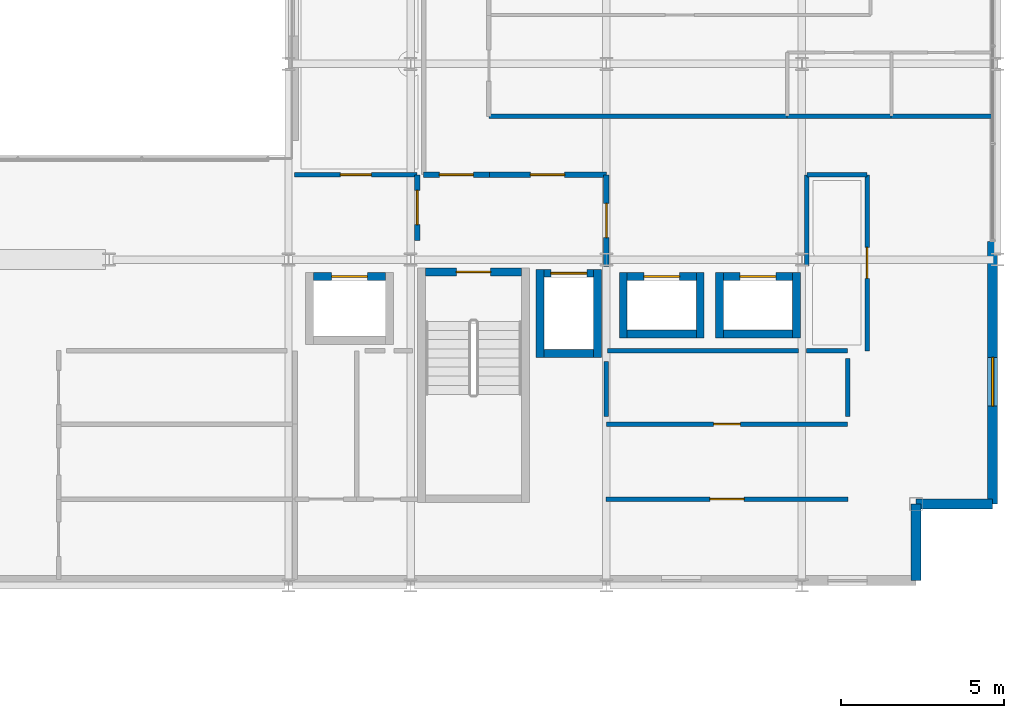
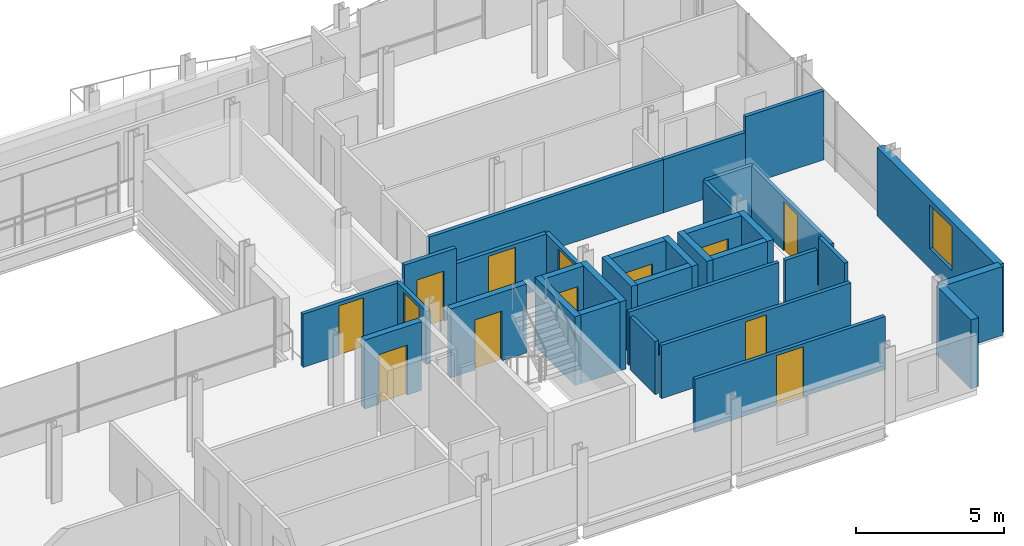
# One storey, part 31 of 36: 34 walls, 13 doors, 1 window, 14 openings.
"""IFC4 building model written with IfcOpenShell, lengths in metres."""

from ifc_helpers import new_model, si_unit, direction, frame, frame_2d, origin, place, context, subcontext, project, spatial, rectangle, extrude, material, layer, layer_set, type_object, element, fill, save


model = new_model("IFC4")

# Units and contexts
model_context = context("Model", 3, precision=1e-05, world=origin(), true_north=direction((0.0, 1.0)))
body_context = subcontext(model_context, "Body", "Model", "MODEL_VIEW")
ifc_project = project(units=[si_unit("LENGTHUNIT", "METRE"), si_unit("AREAUNIT", "SQUARE_METRE"), si_unit("VOLUMEUNIT", "CUBIC_METRE"), si_unit("PLANEANGLEUNIT", "RADIAN"), si_unit("MASSUNIT", "GRAM", prefix="KILO")], contexts=[model_context])

# Site, building, storey
site_placement = place(None, origin())
site = spatial("IfcSite", under=ifc_project, at=site_placement, CompositionType="ELEMENT")
building_placement = place(site_placement, origin())
building = spatial("IfcBuilding", under=site, at=building_placement, Name="Brevholm Reach", CompositionType="ELEMENT")
storey_placement = place(building_placement, frame((0.0, 0.0, 175.89990234375)))
storey = spatial("IfcBuildingStorey", under=building, at=storey_placement, Name="L53", CompositionType="ELEMENT", Elevation=175.89990234375)

# Wall, opening, door
ifc_material_1 = material(Name="Concrete C45/55", Category="concrete")
ifc_layer_1 = layer(ifc_material_1, 0.239990234375)
ifc_layer_set_1 = layer_set([ifc_layer_1], Name="Concrete C45/55")
wall_type_1 = type_object("IfcWallType", Name="WAL-COR-240", PredefinedType="SHEAR", material=ifc_layer_set_1)
wall_1_placement = place(storey_placement, frame((45.39990234375, 9.6201171875, 0.0), z_axis=(0.0, 0.0, 1.0), x_axis=(-1.0, 0.0, 0.0)))
wall_1 = element("IfcWall", 1, at=wall_1_placement, inside=storey, type_object=wall_type_1, Name="L53 Escape Stair ST-2 Core Wall N", PredefinedType="SHEAR", context=body_context, shape_type="SweptSolid", body=[
    extrude(rectangle(XDim=2.949951171875, YDim=0.239990234375, at=frame_2d((1.47509765625, 0.0))), origin(), (0.0, 0.0, 1.0), 2.840087890625),
])
opening_1_placement = place(wall_1_placement, frame((0.949951171875, 0.0, 0.0)))
opening_1 = element("IfcOpeningElement", 2, at=opening_1_placement, cuts=wall_1, Name="Opening SD-ST-2", PredefinedType="OPENING", context=body_context, shape_type="SweptSolid", body=[
    extrude(rectangle(XDim=1.050048828125, YDim=2.06005859375, at=frame_2d((0.52490234375, 1.030029296875))), frame((0.0, 0.1298828125, 0.0), z_axis=(0.0, -1.0, 0.0), x_axis=(1.0, 0.0, 0.0)), (0.0, 0.0, 1.0), 0.260009765625),
])
ifc_material_2 = material(Name="Hardwood-Lipped Steel-Core Fire and Smoke Door", Category="steel")
door_type_1 = type_object("IfcDoorType", Name="DOR-INT-FD60S", OperationType="NOTDEFINED", PredefinedType="DOOR", material=ifc_material_2)
door_1_placement = place(opening_1_placement, origin())
door_1 = element("IfcDoor", 3, at=door_1_placement, inside=storey, type_object=door_type_1, Name="L53 Protected Stair ST-2 Lobby Door", OperationType="SINGLE_SWING_RIGHT", OverallHeight=2.06005859375, OverallWidth=1.050048828125, PredefinedType="DOOR", context=body_context, shape_type="SweptSolid", body=[
    extrude(rectangle(XDim=1.050048828125, YDim=2.06005859375, at=frame_2d((0.52490234375, 1.030029296875))), frame((0.0, 0.02490234375, 0.0), z_axis=(0.0, -1.0, 0.0), x_axis=(1.0, 0.0, 0.0)), (0.0, 0.0, 1.0), 0.050048828125),
])
fill(opening_1, door_1)

# Walls
for number, where, z_axis, x_axis, name in (
    (4, (45.969970703125, 7.0, 0.0), (0.0, 0.0, 1.0), (0.0, 1.0, 0.0), "L53 Lift FFL-2 Shaft Wall W"),
    (5, (47.72998046875, 7.0, 0.0), (0.0, 0.0, 1.0), (0.0, 1.0, 0.0), "L53 Lift FFL-2 Shaft Wall E"),
):
    element("IfcWall", number, at=place(storey_placement, frame(where, z_axis=z_axis, x_axis=x_axis)), inside=storey, type_object=wall_type_1, Name=name, PredefinedType="SHEAR", context=body_context, shape_type="SweptSolid", body=[
        extrude(rectangle(XDim=2.699951171875, YDim=0.239990234375, at=frame_2d((1.35009765625, 0.0))), origin(), (0.0, 0.0, 1.0), 2.840087890625),
    ])
wall_2_placement = place(storey_placement, frame((46.090087890625, 7.1201171875, 0.0), z_axis=(0.0, 0.0, 1.0), x_axis=(1.0, 0.0, 0.0)))
element("IfcWall", 6, at=wall_2_placement, inside=storey, type_object=wall_type_1, Name="L53 Lift FFL-2 Shaft Wall S", PredefinedType="SHEAR", context=body_context, shape_type="SweptSolid", body=[
    extrude(rectangle(XDim=1.52001953125, YDim=0.239990234375, at=frame_2d((0.760009765625, 0.0))), origin(), (0.0, 0.0, 1.0), 2.840087890625),
])

# Wall, opening, door
wall_3_placement = place(storey_placement, frame((46.090087890625, 9.580078125, 0.0), z_axis=(0.0, 0.0, 1.0), x_axis=(1.0, 0.0, 0.0)))
wall_3 = element("IfcWall", 7, at=wall_3_placement, inside=storey, type_object=wall_type_1, Name="L53 Lift FFL-2 Shaft Wall N", PredefinedType="SHEAR", context=body_context, shape_type="SweptSolid", body=[
    extrude(rectangle(XDim=1.52001953125, YDim=0.239990234375, at=frame_2d((0.760009765625, 0.0))), origin(), (0.0, 0.0, 1.0), 2.840087890625),
])
opening_2_placement = place(wall_3_placement, frame((0.2099609375, 0.0, 0.0)))
opening_2 = element("IfcOpeningElement", 8, at=opening_2_placement, cuts=wall_3, Name="Opening LD-FFL-2", PredefinedType="OPENING", context=body_context, shape_type="SweptSolid", body=[
    extrude(rectangle(XDim=1.10009765625, YDim=2.06005859375, at=frame_2d((0.550048828125, 1.030029296875))), frame((0.0, 0.1298828125, 0.0), z_axis=(0.0, -1.0, 0.0), x_axis=(1.0, 0.0, 0.0)), (0.0, 0.0, 1.0), 0.260009765625),
])
ifc_material_3 = material(Name="Brushed Stainless Steel Fire-Rated Sliding Lift Door", Category="steel")
door_type_2 = type_object("IfcDoorType", Name="DOR-LFT-1100", OperationType="NOTDEFINED", PredefinedType="DOOR", material=ifc_material_3)
door_2_placement = place(opening_2_placement, origin())
door_2 = element("IfcDoor", 9, at=door_2_placement, inside=storey, type_object=door_type_2, Name="L53 Lift FFL-2 Sliding Landing Door", OperationType="SLIDING_TO_RIGHT", OverallHeight=2.06005859375, OverallWidth=1.10009765625, PredefinedType="DOOR", context=body_context, shape_type="SweptSolid", body=[
    extrude(rectangle(XDim=1.10009765625, YDim=2.06005859375, at=frame_2d((0.550048828125, 1.030029296875))), frame((0.0, 0.02490234375, 0.0), z_axis=(0.0, -1.0, 0.0), x_axis=(1.0, 0.0, 0.0)), (0.0, 0.0, 1.0), 0.050048828125),
])
fill(opening_2, door_2)

wall_4_placement = place(storey_placement, frame((39.010009765625, 9.47998046875, 0.0), z_axis=(0.0, 0.0, 1.0), x_axis=(1.0, 0.0, 0.0)))
wall_4 = element("IfcWall", 10, at=wall_4_placement, inside=storey, type_object=wall_type_1, Name="L53 Lift PL-S1 Shaft Wall N", PredefinedType="SHEAR", context=body_context, shape_type="SweptSolid", body=[
    extrude(rectangle(XDim=2.219970703125, YDim=0.239990234375, at=frame_2d((1.10986328125, 0.0))), origin(), (0.0, 0.0, 1.0), 2.840087890625),
])
opening_3_placement = place(wall_4_placement, frame((0.56005859375, 0.0, 0.0)))
opening_3 = element("IfcOpeningElement", 11, at=opening_3_placement, cuts=wall_4, Name="Opening LD-PL-S1", PredefinedType="OPENING", context=body_context, shape_type="SweptSolid", body=[
    extrude(rectangle(XDim=1.10009765625, YDim=2.06005859375, at=frame_2d((0.550048828125, 1.030029296875))), frame((0.0, 0.1298828125, 0.0), z_axis=(0.0, -1.0, 0.0), x_axis=(1.0, 0.0, 0.0)), (0.0, 0.0, 1.0), 0.260009765625),
])
door_3_placement = place(opening_3_placement, origin())
door_3 = element("IfcDoor", 12, at=door_3_placement, inside=storey, type_object=door_type_2, Name="L53 Lift PL-S1 Sliding Landing Door", OperationType="SLIDING_TO_LEFT", OverallHeight=2.06005859375, OverallWidth=1.10009765625, PredefinedType="DOOR", context=body_context, shape_type="SweptSolid", body=[
    extrude(rectangle(XDim=1.10009765625, YDim=2.06005859375, at=frame_2d((0.550048828125, 1.030029296875))), frame((0.0, 0.02490234375, 0.0), z_axis=(0.0, -1.0, 0.0), x_axis=(1.0, 0.0, 0.0)), (0.0, 0.0, 1.0), 0.050048828125),
])
fill(opening_3, door_3)

# Walls
for number, where, z_axis, x_axis, name in (
    (13, (48.52001953125, 7.60009765625, 0.0), (0.0, 0.0, 1.0), (0.0, 1.0, 0.0), "L53 Lift PL-H1 Shaft Wall W"),
    (14, (50.8798828125, 7.60009765625, 0.0), (0.0, 0.0, 1.0), (0.0, 1.0, 0.0), "L53 Lift PL-H1 Shaft Wall E"),
):
    element("IfcWall", number, at=place(storey_placement, frame(where, z_axis=z_axis, x_axis=x_axis)), inside=storey, type_object=wall_type_1, Name=name, PredefinedType="SHEAR", context=body_context, shape_type="SweptSolid", body=[
        extrude(rectangle(XDim=2.0, YDim=0.239990234375, at=frame_2d((1.0, 0.0))), origin(), (0.0, 0.0, 1.0), 2.840087890625),
    ])
wall_5_placement = place(storey_placement, frame((48.639892578125, 7.719970703125, 0.0), z_axis=(0.0, 0.0, 1.0), x_axis=(1.0, 0.0, 0.0)))
element("IfcWall", 15, at=wall_5_placement, inside=storey, type_object=wall_type_1, Name="L53 Lift PL-H1 Shaft Wall S", PredefinedType="SHEAR", context=body_context, shape_type="SweptSolid", body=[
    extrude(rectangle(XDim=2.1201171875, YDim=0.239990234375, at=frame_2d((1.06005859375, 0.0))), origin(), (0.0, 0.0, 1.0), 2.840087890625),
])

# Wall, opening, door
wall_6_placement = place(storey_placement, frame((48.639892578125, 9.47998046875, 0.0), z_axis=(0.0, 0.0, 1.0), x_axis=(1.0, 0.0, 0.0)))
wall_6 = element("IfcWall", 16, at=wall_6_placement, inside=storey, type_object=wall_type_1, Name="L53 Lift PL-H1 Shaft Wall N", PredefinedType="SHEAR", context=body_context, shape_type="SweptSolid", body=[
    extrude(rectangle(XDim=2.1201171875, YDim=0.239990234375, at=frame_2d((1.06005859375, 0.0))), origin(), (0.0, 0.0, 1.0), 2.840087890625),
])
opening_4_placement = place(wall_6_placement, frame((0.510009765625, 0.0, 0.0)))
opening_4 = element("IfcOpeningElement", 17, at=opening_4_placement, cuts=wall_6, Name="Opening LD-PL-H1", PredefinedType="OPENING", context=body_context, shape_type="SweptSolid", body=[
    extrude(rectangle(XDim=1.10009765625, YDim=2.06005859375, at=frame_2d((0.550048828125, 1.030029296875))), frame((0.0, 0.1298828125, 0.0), z_axis=(0.0, -1.0, 0.0), x_axis=(1.0, 0.0, 0.0)), (0.0, 0.0, 1.0), 0.260009765625),
])
door_4_placement = place(opening_4_placement, origin())
door_4 = element("IfcDoor", 18, at=door_4_placement, inside=storey, type_object=door_type_2, Name="L53 Lift PL-H1 Sliding Landing Door", OperationType="SLIDING_TO_RIGHT", OverallHeight=2.06005859375, OverallWidth=1.10009765625, PredefinedType="DOOR", context=body_context, shape_type="SweptSolid", body=[
    extrude(rectangle(XDim=1.10009765625, YDim=2.06005859375, at=frame_2d((0.550048828125, 1.030029296875))), frame((0.0, 0.02490234375, 0.0), z_axis=(0.0, -1.0, 0.0), x_axis=(1.0, 0.0, 0.0)), (0.0, 0.0, 1.0), 0.050048828125),
])
fill(opening_4, door_4)

# Walls
for number, where, z_axis, x_axis, name in (
    (19, (51.469970703125, 7.60009765625, 0.0), (0.0, 0.0, 1.0), (0.0, 1.0, 0.0), "L53 Lift PL-H2 Shaft Wall W"),
    (20, (53.830078125, 7.60009765625, 0.0), (0.0, 0.0, 1.0), (0.0, 1.0, 0.0), "L53 Lift PL-H2 Shaft Wall E"),
):
    element("IfcWall", number, at=place(storey_placement, frame(where, z_axis=z_axis, x_axis=x_axis)), inside=storey, type_object=wall_type_1, Name=name, PredefinedType="SHEAR", context=body_context, shape_type="SweptSolid", body=[
        extrude(rectangle(XDim=2.0, YDim=0.239990234375, at=frame_2d((1.0, 0.0))), origin(), (0.0, 0.0, 1.0), 2.840087890625),
    ])
wall_7_placement = place(storey_placement, frame((51.590087890625, 7.719970703125, 0.0), z_axis=(0.0, 0.0, 1.0), x_axis=(1.0, 0.0, 0.0)))
element("IfcWall", 21, at=wall_7_placement, inside=storey, type_object=wall_type_1, Name="L53 Lift PL-H2 Shaft Wall S", PredefinedType="SHEAR", context=body_context, shape_type="SweptSolid", body=[
    extrude(rectangle(XDim=2.119873046875, YDim=0.239990234375, at=frame_2d((1.06005859375, 0.0))), origin(), (0.0, 0.0, 1.0), 2.840087890625),
])

# Wall, opening, door
wall_8_placement = place(storey_placement, frame((51.590087890625, 9.47998046875, 0.0), z_axis=(0.0, 0.0, 1.0), x_axis=(1.0, 0.0, 0.0)))
wall_8 = element("IfcWall", 22, at=wall_8_placement, inside=storey, type_object=wall_type_1, Name="L53 Lift PL-H2 Shaft Wall N", PredefinedType="SHEAR", context=body_context, shape_type="SweptSolid", body=[
    extrude(rectangle(XDim=2.119873046875, YDim=0.239990234375, at=frame_2d((1.06005859375, 0.0))), origin(), (0.0, 0.0, 1.0), 2.840087890625),
])
opening_5_placement = place(wall_8_placement, frame((0.510009765625, 0.0, 0.0)))
opening_5 = element("IfcOpeningElement", 23, at=opening_5_placement, cuts=wall_8, Name="Opening LD-PL-H2", PredefinedType="OPENING", context=body_context, shape_type="SweptSolid", body=[
    extrude(rectangle(XDim=1.10009765625, YDim=2.06005859375, at=frame_2d((0.550048828125, 1.030029296875))), frame((0.0, 0.1298828125, 0.0), z_axis=(0.0, -1.0, 0.0), x_axis=(1.0, 0.0, 0.0)), (0.0, 0.0, 1.0), 0.260009765625),
])
door_5_placement = place(opening_5_placement, origin())
door_5 = element("IfcDoor", 24, at=door_5_placement, inside=storey, type_object=door_type_2, Name="L53 Lift PL-H2 Sliding Landing Door", OperationType="SLIDING_TO_LEFT", OverallHeight=2.06005859375, OverallWidth=1.10009765625, PredefinedType="DOOR", context=body_context, shape_type="SweptSolid", body=[
    extrude(rectangle(XDim=1.10009765625, YDim=2.06005859375, at=frame_2d((0.550048828125, 1.030029296875))), frame((0.0, 0.02490234375, 0.0), z_axis=(0.0, -1.0, 0.0), x_axis=(1.0, 0.0, 0.0)), (0.0, 0.0, 1.0), 0.050048828125),
])
fill(opening_5, door_5)

# Walls
ifc_material_4 = material(Name="Concrete C40/50", Category="concrete")
ifc_layer_2 = layer(ifc_material_4, 0.300048828125)
ifc_layer_set_2 = layer_set([ifc_layer_2], Name="Concrete C40/50")
wall_type_2 = type_object("IfcWallType", Name="WAL-EXT-300", PredefinedType="STANDARD", material=ifc_layer_set_2)
for number, where, z_axis, x_axis, name in (
    (25, (57.5, 0.14990234375, 0.0), (0.0, 0.0, 1.0), (0.0, 1.0, 0.0), "L53 Facade Wall WAL-L53-CSE1"),
    (26, (57.5, 2.5, 0.0), (0.0, 0.0, 1.0), (1.0, 0.0, 0.0), "L53 Facade Wall WAL-L53-CSE2"),
):
    element("IfcWall", number, at=place(storey_placement, frame(where, z_axis=z_axis, x_axis=x_axis)), inside=storey, type_object=wall_type_2, Name=name, PredefinedType="STANDARD", context=body_context, shape_type="SweptSolid", body=[
        extrude(rectangle(XDim=2.35009765625, YDim=0.300048828125, at=frame_2d((1.175048828125, 0.0))), origin(), (0.0, 0.0, 1.0), 2.840087890625),
    ])

# Wall, opening, window
wall_9_placement = place(storey_placement, frame((59.85009765625, 2.5, 0.0), z_axis=(0.0, 0.0, 1.0), x_axis=(0.0, 1.0, 0.0)))
wall_9 = element("IfcWall", 27, at=wall_9_placement, inside=storey, type_object=wall_type_2, Name="L53 Facade Wall WAL-L53-E-S", PredefinedType="STANDARD", context=body_context, shape_type="SweptSolid", body=[
    extrude(rectangle(XDim=8.050048828125, YDim=0.300048828125, at=frame_2d((4.02490234375, 0.0))), origin(), (0.0, 0.0, 1.0), 2.840087890625),
])
opening_6_placement = place(wall_9_placement, frame((3.0, 0.0, 0.820068359375)))
opening_6 = element("IfcOpeningElement", 28, at=opening_6_placement, cuts=wall_9, Name="Opening WN-05", PredefinedType="OPENING", context=body_context, shape_type="SweptSolid", body=[
    extrude(rectangle(XDim=1.5, YDim=1.800048828125, at=frame_2d((0.75, 0.89990234375))), frame((0.0, 0.159912109375, 0.0), z_axis=(0.0, -1.0, 0.0), x_axis=(1.0, 0.0, 0.0)), (0.0, 0.0, 1.0), 0.320068359375),
])
ifc_material_5 = material(Name="Dark Anodised Aluminium and Solar-Control IGU Glass", Category="aluminium")
window_type = type_object("IfcWindowType", Name="WIN-RES-1500", PartitioningType="SINGLE_PANEL", PredefinedType="WINDOW", material=ifc_material_5)
window_placement = place(opening_6_placement, origin())
window = element("IfcWindow", 29, at=window_placement, inside=storey, type_object=window_type, Name="L53 Window WIN-L53-ES-1", OverallHeight=1.800048828125, OverallWidth=1.5, PartitioningType="SINGLE_PANEL", PredefinedType="WINDOW", context=body_context, shape_type="SweptSolid", body=[
    extrude(rectangle(XDim=1.5, YDim=1.800048828125, at=frame_2d((0.75, 0.89990234375))), frame((0.0, 0.030029296875, 0.0), z_axis=(0.0, -1.0, 0.0), x_axis=(1.0, 0.0, 0.0)), (0.0, 0.0, 1.0), 0.06005859375),
])
fill(opening_6, window)

# Wall, opening, door
ifc_material_6 = material(Name="Twin-Stud Acoustic Fire-Rated Gypsum Partition 140 mm", Category="gypsum")
ifc_layer_3 = layer(ifc_material_6, 0.139892578125)
ifc_layer_set_3 = layer_set([ifc_layer_3], Name="Twin-Stud Acoustic Fire-Rated Gypsum Partition 140 mm")
wall_type_3 = type_object("IfcWallType", Name="WAL-PRT-140", PredefinedType="PARTITIONING", material=ifc_layer_set_3)
wall_10_placement = place(storey_placement, frame((56.0, 7.188720703125, 0.0), z_axis=(0.0, 0.0, 1.0), x_axis=(0.0, 1.0, 0.0)))
wall_10 = element("IfcWall", 30, at=wall_10_placement, inside=storey, type_object=wall_type_3, Name="L53 Internal Partition 014", PredefinedType="PARTITIONING", context=body_context, shape_type="SweptSolid", body=[
    extrude(rectangle(XDim=5.411376953125, YDim=0.139892578125, at=frame_2d((2.70556640625, 0.0))), origin(), (0.0, 0.0, 1.0), 2.19482421875),
])
opening_7_placement = place(wall_10_placement, frame((2.230712890625, 0.0, 0.0)))
opening_7 = element("IfcOpeningElement", 31, at=opening_7_placement, cuts=wall_10, Name="Opening ID-30", PredefinedType="OPENING", context=body_context, shape_type="SweptSolid", body=[
    extrude(rectangle(XDim=0.949951171875, YDim=2.050048828125, at=frame_2d((0.47509765625, 1.02490234375))), frame((0.0, 0.079833984375, 0.0), z_axis=(0.0, -1.0, 0.0), x_axis=(1.0, 0.0, 0.0)), (0.0, 0.0, 1.0), 0.159912109375),
])
ifc_material_7 = material(Name="European Oak Veneered Solid-Core Fire Entrance Door", Category="timber")
door_type_3 = type_object("IfcDoorType", Name="DOR-FLT-FD30S", OperationType="NOTDEFINED", PredefinedType="DOOR", material=ifc_material_7)
door_6_placement = place(opening_7_placement, origin())
door_6 = element("IfcDoor", 32, at=door_6_placement, inside=storey, type_object=door_type_3, Name="L53 Internal Door 007", OperationType="SINGLE_SWING_LEFT", OverallHeight=2.050048828125, OverallWidth=0.949951171875, PredefinedType="DOOR", context=body_context, shape_type="SweptSolid", body=[
    extrude(rectangle(XDim=0.949951171875, YDim=2.050048828125, at=frame_2d((0.47509765625, 1.02490234375))), frame((0.0, 0.02490234375, 0.0), z_axis=(0.0, -1.0, 0.0), x_axis=(1.0, 0.0, 0.0)), (0.0, 0.0, 1.0), 0.050048828125),
])
fill(opening_7, door_6)

wall_11_placement = place(storey_placement, frame((47.98876953125, 2.64990234375, 0.0), z_axis=(0.0, 0.0, 1.0), x_axis=(1.0, 0.0, 0.0)))
wall_11 = element("IfcWall", 33, at=wall_11_placement, inside=storey, type_object=wall_type_3, Name="L53 Internal Partition 017", PredefinedType="PARTITIONING", context=body_context, shape_type="SweptSolid", body=[
    extrude(rectangle(XDim=7.422607421875, YDim=0.139892578125, at=frame_2d((3.71142578125, 0.0))), origin(), (0.0, 0.0, 1.0), 2.19482421875),
])
opening_8_placement = place(wall_11_placement, frame((3.186279296875, 0.0, 0.0)))
opening_8 = element("IfcOpeningElement", 34, at=opening_8_placement, cuts=wall_11, Name="Opening FD-01", PredefinedType="OPENING", context=body_context, shape_type="SweptSolid", body=[
    extrude(rectangle(XDim=1.050048828125, YDim=2.06005859375, at=frame_2d((0.52490234375, 1.030029296875))), frame((0.0, 0.079833984375, 0.0), z_axis=(0.0, -1.0, 0.0), x_axis=(1.0, 0.0, 0.0)), (0.0, 0.0, 1.0), 0.159912109375),
])
door_7_placement = place(opening_8_placement, origin())
door_7 = element("IfcDoor", 35, at=door_7_placement, inside=storey, type_object=door_type_1, Name="L53 Internal Door 010", OperationType="SINGLE_SWING_RIGHT", OverallHeight=2.06005859375, OverallWidth=1.050048828125, PredefinedType="DOOR", context=body_context, shape_type="SweptSolid", body=[
    extrude(rectangle(XDim=1.050048828125, YDim=2.06005859375, at=frame_2d((0.52490234375, 1.030029296875))), frame((0.0, 0.02490234375, 0.0), z_axis=(0.0, -1.0, 0.0), x_axis=(1.0, 0.0, 0.0)), (0.0, 0.0, 1.0), 0.050048828125),
])
fill(opening_8, door_7)

wall_12_placement = place(storey_placement, frame((48.0, 4.949951171875, 0.0), z_axis=(0.0, 0.0, 1.0), x_axis=(1.0, 0.0, 0.0)))
wall_12 = element("IfcWall", 36, at=wall_12_placement, inside=storey, type_object=wall_type_3, Name="L53 Internal Partition 023", PredefinedType="PARTITIONING", context=body_context, shape_type="SweptSolid", body=[
    extrude(rectangle(XDim=7.39990234375, YDim=0.139892578125, at=frame_2d((3.699951171875, 0.0))), origin(), (0.0, 0.0, 1.0), 2.19482421875),
])
opening_9_placement = place(wall_12_placement, frame((3.2900390625, 0.0, 0.0)))
opening_9 = element("IfcOpeningElement", 37, at=opening_9_placement, cuts=wall_12, Name="Opening ID-02", PredefinedType="OPENING", context=body_context, shape_type="SweptSolid", body=[
    extrude(rectangle(XDim=0.820068359375, YDim=2.02001953125, at=frame_2d((0.41015625, 1.010009765625))), frame((0.0, 0.079833984375, 0.0), z_axis=(0.0, -1.0, 0.0), x_axis=(1.0, 0.0, 0.0)), (0.0, 0.0, 1.0), 0.159912109375),
])
ifc_material_8 = material(Name="Moisture-Resistant Painted Timber Fire-Rated Riser and Service Door", Category="wood")
door_type_4 = type_object("IfcDoorType", Name="DOR-SRV-820", OperationType="NOTDEFINED", PredefinedType="DOOR", material=ifc_material_8)
door_8_placement = place(opening_9_placement, origin())
door_8 = element("IfcDoor", 38, at=door_8_placement, inside=storey, type_object=door_type_4, Name="L53 Access Door 046", OperationType="SINGLE_SWING_RIGHT", OverallHeight=2.02001953125, OverallWidth=0.820068359375, PredefinedType="DOOR", context=body_context, shape_type="SweptSolid", body=[
    extrude(rectangle(XDim=0.820068359375, YDim=2.02001953125, at=frame_2d((0.41015625, 1.010009765625))), frame((0.0, 0.02490234375, 0.0), z_axis=(0.0, -1.0, 0.0), x_axis=(1.0, 0.0, 0.0)), (0.0, 0.0, 1.0), 0.050048828125),
])
fill(opening_9, door_8)

# Walls
wall_13_placement = place(storey_placement, frame((54.138671875, 7.199951171875, 0.0), z_axis=(0.0, 0.0, 1.0), x_axis=(1.0, 0.0, 0.0)))
element("IfcWall", 39, at=wall_13_placement, inside=storey, type_object=wall_type_3, Name="L53 Internal Partition 024", PredefinedType="PARTITIONING", context=body_context, shape_type="SweptSolid", body=[
    extrude(rectangle(XDim=1.26123046875, YDim=0.139892578125, at=frame_2d((0.630615234375, 0.0))), origin(), (0.0, 0.0, 1.0), 2.19482421875),
])
wall_14_placement = place(storey_placement, frame((54.14990234375, 9.800048828125, 0.0), z_axis=(0.0, 0.0, 1.0), x_axis=(0.0, 1.0, 0.0)))
element("IfcWall", 40, at=wall_14_placement, inside=storey, type_object=wall_type_3, Name="L53 Internal Partition 035", PredefinedType="PARTITIONING", context=body_context, shape_type="SweptSolid", body=[
    extrude(rectangle(XDim=2.800048828125, YDim=0.139892578125, at=frame_2d((1.39990234375, 0.0))), origin(), (0.0, 0.0, 1.0), 2.19482421875),
])
wall_15_placement = place(storey_placement, frame((54.154052734375, 12.60009765625, 0.0), z_axis=(0.0, 0.0, 1.0), x_axis=(1.0, 0.0, 0.0)))
element("IfcWall", 41, at=wall_15_placement, inside=storey, type_object=wall_type_3, Name="L53 Internal Partition 036", PredefinedType="PARTITIONING", context=body_context, shape_type="SweptSolid", body=[
    extrude(rectangle(XDim=1.842041015625, YDim=0.139892578125, at=frame_2d((0.9208984375, 0.0))), origin(), (0.0, 0.0, 1.0), 2.19482421875),
])

# Wall, opening, door
wall_16_placement = place(storey_placement, frame((38.438720703125, 12.60009765625, 0.0), z_axis=(0.0, 0.0, 1.0), x_axis=(1.0, 0.0, 0.0)))
wall_16 = element("IfcWall", 42, at=wall_16_placement, inside=storey, type_object=wall_type_3, Name="L53 Internal Partition 037", PredefinedType="PARTITIONING", context=body_context, shape_type="SweptSolid", body=[
    extrude(rectangle(XDim=3.75732421875, YDim=0.139892578125, at=frame_2d((1.878662109375, 0.0))), origin(), (0.0, 0.0, 1.0), 2.19482421875),
])
opening_10_placement = place(wall_16_placement, frame((1.40380859375, 0.0, 0.0)))
opening_10 = element("IfcOpeningElement", 43, at=opening_10_placement, cuts=wall_16, Name="Opening ID-30", PredefinedType="OPENING", context=body_context, shape_type="SweptSolid", body=[
    extrude(rectangle(XDim=0.949951171875, YDim=2.050048828125, at=frame_2d((0.47509765625, 1.02490234375))), frame((0.0, 0.079833984375, 0.0), z_axis=(0.0, -1.0, 0.0), x_axis=(1.0, 0.0, 0.0)), (0.0, 0.0, 1.0), 0.159912109375),
])
door_9_placement = place(opening_10_placement, origin())
door_9 = element("IfcDoor", 44, at=door_9_placement, inside=storey, type_object=door_type_3, Name="L53 Internal Door 020", OperationType="SINGLE_SWING_RIGHT", OverallHeight=2.050048828125, OverallWidth=0.949951171875, PredefinedType="DOOR", context=body_context, shape_type="SweptSolid", body=[
    extrude(rectangle(XDim=0.949951171875, YDim=2.050048828125, at=frame_2d((0.47509765625, 1.02490234375))), frame((0.0, 0.02490234375, 0.0), z_axis=(0.0, -1.0, 0.0), x_axis=(1.0, 0.0, 0.0)), (0.0, 0.0, 1.0), 0.050048828125),
])
fill(opening_10, door_9)

# Walls
wall_17_placement = place(storey_placement, frame((56.73876953125, 14.39990234375, 0.0), z_axis=(0.0, 0.0, 1.0), x_axis=(1.0, 0.0, 0.0)))
element("IfcWall", 45, at=wall_17_placement, inside=storey, type_object=wall_type_3, Name="L53 Internal Partition 049", PredefinedType="PARTITIONING", context=body_context, shape_type="SweptSolid", body=[
    extrude(rectangle(XDim=3.072509765625, YDim=0.139892578125, at=frame_2d((1.5361328125, 0.0))), origin(), (0.0, 0.0, 1.0), 2.840087890625),
])
wall_18_placement = place(storey_placement, frame((53.538818359375, 14.39990234375, 0.0), z_axis=(0.0, 0.0, 1.0), x_axis=(1.0, 0.0, 0.0)))
element("IfcWall", 46, at=wall_18_placement, inside=storey, type_object=wall_type_3, Name="L53 Internal Partition 050", PredefinedType="PARTITIONING", context=body_context, shape_type="SweptSolid", body=[
    extrude(rectangle(XDim=3.218505859375, YDim=0.139892578125, at=frame_2d((1.609375, 0.0))), origin(), (0.0, 0.0, 1.0), 2.19482421875),
])
wall_19_placement = place(storey_placement, frame((44.404052734375, 14.39990234375, 0.0), z_axis=(0.0, 0.0, 1.0), x_axis=(1.0, 0.0, 0.0)))
element("IfcWall", 47, at=wall_19_placement, inside=storey, type_object=wall_type_3, Name="L53 Internal Partition 051", PredefinedType="PARTITIONING", context=body_context, shape_type="SweptSolid", body=[
    extrude(rectangle(XDim=9.1533203125, YDim=0.139892578125, at=frame_2d((4.57666015625, 0.0))), origin(), (0.0, 0.0, 1.0), 2.19482421875),
])
wall_20_placement = place(storey_placement, frame((55.39990234375, 5.18994140625, 0.0), z_axis=(0.0, 0.0, 1.0), x_axis=(0.0, 1.0, 0.0)))
element("IfcWall", 48, at=wall_20_placement, inside=storey, type_object=wall_type_3, Name="L53 Internal Partition 112", PredefinedType="PARTITIONING", context=body_context, shape_type="SweptSolid", body=[
    extrude(rectangle(XDim=1.77001953125, YDim=0.139892578125, at=frame_2d((0.885009765625, 0.0))), origin(), (0.0, 0.0, 1.0), 2.840087890625),
])
wall_21_placement = place(storey_placement, frame((48.030029296875, 7.199951171875, 0.0), z_axis=(0.0, 0.0, 1.0), x_axis=(1.0, 0.0, 0.0)))
element("IfcWall", 49, at=wall_21_placement, inside=storey, type_object=wall_type_3, Name="L53 Internal Partition 113", PredefinedType="PARTITIONING", context=body_context, shape_type="SweptSolid", body=[
    extrude(rectangle(XDim=5.86865234375, YDim=0.139892578125, at=frame_2d((2.934326171875, 0.0))), origin(), (0.0, 0.0, 1.0), 2.19482421875),
])
wall_22_placement = place(storey_placement, frame((48.0, 5.18994140625, 0.0), z_axis=(0.0, 0.0, 1.0), x_axis=(0.0, 1.0, 0.0)))
element("IfcWall", 50, at=wall_22_placement, inside=storey, type_object=wall_type_3, Name="L53 Internal Partition 114", PredefinedType="PARTITIONING", context=body_context, shape_type="SweptSolid", body=[
    extrude(rectangle(XDim=1.68359375, YDim=0.139892578125, at=frame_2d((0.841796875, 0.0))), origin(), (0.0, 0.0, 1.0), 2.19482421875),
])

# Wall, opening, door
ifc_material_9 = material(Name="Twin-Frame Fire-Rated Gypsum Board and Mineral Wool 160 mm", Category="gypsum")
ifc_layer_4 = layer(ifc_material_9, 0.159912109375)
ifc_layer_set_4 = layer_set([ifc_layer_4], Name="Twin-Frame Fire-Rated Gypsum Board and Mineral Wool 160 mm")
wall_type_4 = type_object("IfcWallType", Name="WAL-PRT-160", PredefinedType="PARTITIONING", material=ifc_layer_set_4)
wall_23_placement = place(storey_placement, frame((48.0, 9.788818359375, 0.0), z_axis=(0.0, 0.0, 1.0), x_axis=(0.0, 1.0, 0.0)))
wall_23 = element("IfcWall", 51, at=wall_23_placement, inside=storey, type_object=wall_type_4, Name="L53 Internal Partition 031", PredefinedType="PARTITIONING", context=body_context, shape_type="SweptSolid", body=[
    extrude(rectangle(XDim=2.811279296875, YDim=0.159912109375, at=frame_2d((1.40576171875, 0.0))), origin(), (0.0, 0.0, 1.0), 2.19482421875),
])
opening_11_placement = place(wall_23_placement, frame((0.880615234375, 0.0, 0.0)))
opening_11 = element("IfcOpeningElement", 52, at=opening_11_placement, cuts=wall_23, Name="Opening FD-01", PredefinedType="OPENING", context=body_context, shape_type="SweptSolid", body=[
    extrude(rectangle(XDim=1.050048828125, YDim=2.06005859375, at=frame_2d((0.52490234375, 1.030029296875))), frame((0.0, 0.08984375, 0.0), z_axis=(0.0, -1.0, 0.0), x_axis=(1.0, 0.0, 0.0)), (0.0, 0.0, 1.0), 0.179931640625),
])
door_10_placement = place(opening_11_placement, origin())
door_10 = element("IfcDoor", 53, at=door_10_placement, inside=storey, type_object=door_type_1, Name="L53 Internal Door 016", OperationType="SINGLE_SWING_RIGHT", OverallHeight=2.06005859375, OverallWidth=1.050048828125, PredefinedType="DOOR", context=body_context, shape_type="SweptSolid", body=[
    extrude(rectangle(XDim=1.050048828125, YDim=2.06005859375, at=frame_2d((0.52490234375, 1.030029296875))), frame((0.0, 0.02490234375, 0.0), z_axis=(0.0, -1.0, 0.0), x_axis=(1.0, 0.0, 0.0)), (0.0, 0.0, 1.0), 0.050048828125),
])
fill(opening_11, door_10)

wall_24_placement = place(storey_placement, frame((42.199951171875, 10.588623046875, 0.0), z_axis=(0.0, 0.0, 1.0), x_axis=(0.0, 1.0, 0.0)))
wall_24 = element("IfcWall", 54, at=wall_24_placement, inside=storey, type_object=wall_type_4, Name="L53 Internal Partition 032", PredefinedType="PARTITIONING", context=body_context, shape_type="SweptSolid", body=[
    extrude(rectangle(XDim=2.011474609375, YDim=0.159912109375, at=frame_2d((1.005859375, 0.0))), origin(), (0.0, 0.0, 1.0), 2.19482421875),
])
opening_12_placement = place(wall_24_placement, frame((0.480712890625, 0.0, 0.0)))
opening_12 = element("IfcOpeningElement", 55, at=opening_12_placement, cuts=wall_24, Name="Opening FD-01", PredefinedType="OPENING", context=body_context, shape_type="SweptSolid", body=[
    extrude(rectangle(XDim=1.050048828125, YDim=2.06005859375, at=frame_2d((0.52490234375, 1.030029296875))), frame((0.0, 0.08984375, 0.0), z_axis=(0.0, -1.0, 0.0), x_axis=(1.0, 0.0, 0.0)), (0.0, 0.0, 1.0), 0.179931640625),
])
door_11_placement = place(opening_12_placement, origin())
door_11 = element("IfcDoor", 56, at=door_11_placement, inside=storey, type_object=door_type_1, Name="L53 Internal Door 017", OperationType="SINGLE_SWING_LEFT", OverallHeight=2.06005859375, OverallWidth=1.050048828125, PredefinedType="DOOR", context=body_context, shape_type="SweptSolid", body=[
    extrude(rectangle(XDim=1.050048828125, YDim=2.06005859375, at=frame_2d((0.52490234375, 1.030029296875))), frame((0.0, 0.02490234375, 0.0), z_axis=(0.0, -1.0, 0.0), x_axis=(1.0, 0.0, 0.0)), (0.0, 0.0, 1.0), 0.050048828125),
])
fill(opening_12, door_11)

wall_25_placement = place(storey_placement, frame((42.388671875, 12.60009765625, 0.0), z_axis=(0.0, 0.0, 1.0), x_axis=(1.0, 0.0, 0.0)))
wall_25 = element("IfcWall", 57, at=wall_25_placement, inside=storey, type_object=wall_type_4, Name="L53 Internal Partition 033", PredefinedType="PARTITIONING", context=body_context, shape_type="SweptSolid", body=[
    extrude(rectangle(XDim=2.022705078125, YDim=0.159912109375, at=frame_2d((1.01123046875, 0.0))), origin(), (0.0, 0.0, 1.0), 2.840087890625),
])
opening_13_placement = place(wall_25_placement, frame((0.486328125, 0.0, 0.0)))
opening_13 = element("IfcOpeningElement", 58, at=opening_13_placement, cuts=wall_25, Name="Opening FD-01", PredefinedType="OPENING", context=body_context, shape_type="SweptSolid", body=[
    extrude(rectangle(XDim=1.050048828125, YDim=2.06005859375, at=frame_2d((0.52490234375, 1.030029296875))), frame((0.0, 0.08984375, 0.0), z_axis=(0.0, -1.0, 0.0), x_axis=(1.0, 0.0, 0.0)), (0.0, 0.0, 1.0), 0.179931640625),
])
door_12_placement = place(opening_13_placement, origin())
door_12 = element("IfcDoor", 59, at=door_12_placement, inside=storey, type_object=door_type_1, Name="L53 Internal Door 018", OperationType="SINGLE_SWING_RIGHT", OverallHeight=2.06005859375, OverallWidth=1.050048828125, PredefinedType="DOOR", context=body_context, shape_type="SweptSolid", body=[
    extrude(rectangle(XDim=1.050048828125, YDim=2.06005859375, at=frame_2d((0.52490234375, 1.030029296875))), frame((0.0, 0.02490234375, 0.0), z_axis=(0.0, -1.0, 0.0), x_axis=(1.0, 0.0, 0.0)), (0.0, 0.0, 1.0), 0.050048828125),
])
fill(opening_13, door_12)

wall_26_placement = place(storey_placement, frame((44.392578125, 12.60009765625, 0.0), z_axis=(0.0, 0.0, 1.0), x_axis=(1.0, 0.0, 0.0)))
wall_26 = element("IfcWall", 60, at=wall_26_placement, inside=storey, type_object=wall_type_4, Name="L53 Internal Partition 034", PredefinedType="PARTITIONING", context=body_context, shape_type="SweptSolid", body=[
    extrude(rectangle(XDim=3.607421875, YDim=0.159912109375, at=frame_2d((1.8037109375, 0.0))), origin(), (0.0, 0.0, 1.0), 2.19482421875),
])
opening_14_placement = place(wall_26_placement, frame((1.27880859375, 0.0, 0.0)))
opening_14 = element("IfcOpeningElement", 61, at=opening_14_placement, cuts=wall_26, Name="Opening FD-01", PredefinedType="OPENING", context=body_context, shape_type="SweptSolid", body=[
    extrude(rectangle(XDim=1.050048828125, YDim=2.06005859375, at=frame_2d((0.52490234375, 1.030029296875))), frame((0.0, 0.08984375, 0.0), z_axis=(0.0, -1.0, 0.0), x_axis=(1.0, 0.0, 0.0)), (0.0, 0.0, 1.0), 0.179931640625),
])
door_13_placement = place(opening_14_placement, origin())
door_13 = element("IfcDoor", 62, at=door_13_placement, inside=storey, type_object=door_type_1, Name="L53 Internal Door 019", OperationType="SINGLE_SWING_LEFT", OverallHeight=2.06005859375, OverallWidth=1.050048828125, PredefinedType="DOOR", context=body_context, shape_type="SweptSolid", body=[
    extrude(rectangle(XDim=1.050048828125, YDim=2.06005859375, at=frame_2d((0.52490234375, 1.030029296875))), frame((0.0, 0.02490234375, 0.0), z_axis=(0.0, -1.0, 0.0), x_axis=(1.0, 0.0, 0.0)), (0.0, 0.0, 1.0), 0.050048828125),
])
fill(opening_14, door_13)

save(model, "model.ifc")
